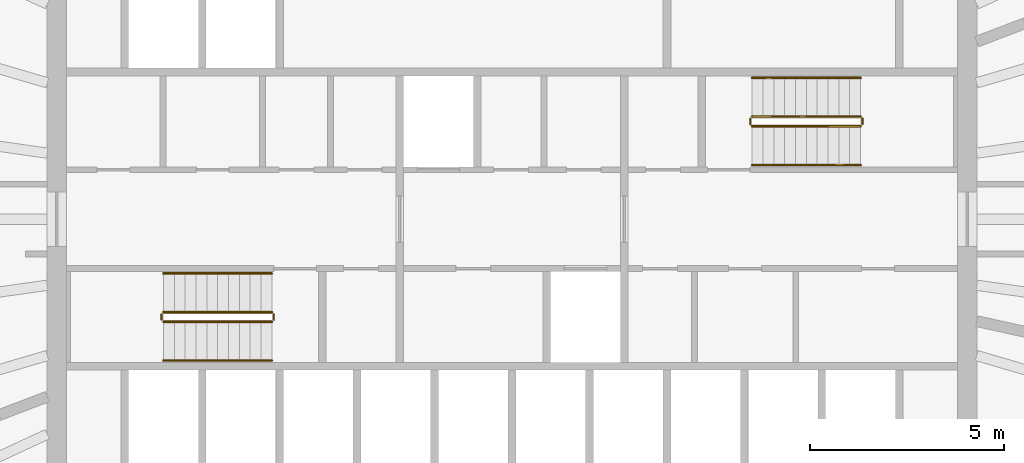
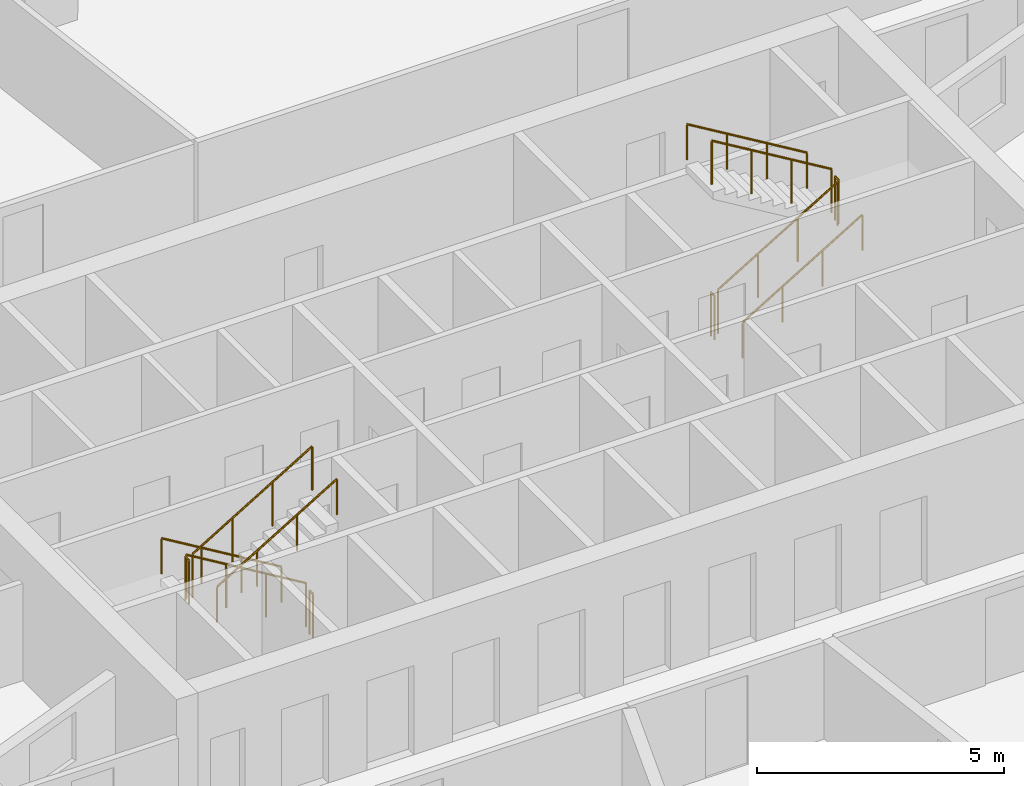
# One storey, part 12 of 12: 12 railings.
"""IFC4 building model written with IfcOpenShell, lengths in metres."""

from ifc_helpers import new_model, si_unit, direction, frame, origin, origin_2d, place, context, subcontext, project, spatial, circle, extrude, material, type_object, element, save


model = new_model("IFC4")

# Units and contexts
model_context = context("Model", 3, precision=1e-05, world=origin(), true_north=direction((0.0, 1.0)))
body_context = subcontext(model_context, "Body", "Model", "MODEL_VIEW")
ifc_project = project(units=[si_unit("LENGTHUNIT", "METRE"), si_unit("AREAUNIT", "SQUARE_METRE"), si_unit("VOLUMEUNIT", "CUBIC_METRE"), si_unit("PLANEANGLEUNIT", "RADIAN"), si_unit("MASSUNIT", "GRAM", prefix="KILO")], contexts=[model_context])

# Site, building, storey
site_placement = place(None, origin())
site = spatial("IfcSite", under=ifc_project, at=site_placement, CompositionType="ELEMENT")
building_placement = place(site_placement, origin())
building = spatial("IfcBuilding", under=site, at=building_placement, Name="Siaravel Broadcast Tower", CompositionType="ELEMENT")
storey_placement = place(building_placement, frame((0.0, 0.0, 134.10009765625)))
storey = spatial("IfcBuildingStorey", under=building, at=storey_placement, Name="L32", CompositionType="ELEMENT", Elevation=134.10009765625)

# Railings
ifc_material = material(Name="Stainless steel 316L", Category="steel")
railing_type_1 = type_object("IfcRailingType", Name="Stair guard 1100", PredefinedType="GUARDRAIL", material=ifc_material)
railing_1_placement = place(storey_placement, frame((-6.199951171875, -2.39990234375, 0.16796875)))
element("IfcRailing", 1, at=railing_1_placement, inside=storey, type_object=railing_type_1, Name="L32 ST-1 stair guard 1", PredefinedType="GUARDRAIL", context=body_context, shape_type="SweptSolid", body=[
    extrude(circle(Radius=0.02392578125, at=origin_2d()), frame((0.0, 0.0, 1.076171875), z_axis=(-0.857242211, 0.0, 0.514913383), x_axis=(0.0, -1.0, 0.0)), (0.0, 0.0, 1.0), 3.266357421875),
    extrude(circle(Radius=0.02099609375, at=origin_2d()), origin(), (0.0, 0.0, 1.0), 1.052001953125),
    extrude(circle(Radius=0.02099609375, at=origin_2d()), frame((-0.933349609375, 0.0, 0.560546875)), (0.0, 0.0, 1.0), 1.052001953125),
    extrude(circle(Radius=0.02099609375, at=origin_2d()), frame((-1.86669921875, 0.0, 1.121337890625)), (0.0, 0.0, 1.0), 1.052001953125),
    extrude(circle(Radius=0.02099609375, at=origin_2d()), frame((-2.800048828125, 0.0, 1.681884765625)), (0.0, 0.0, 1.0), 1.052001953125),
])
railing_2_placement = place(storey_placement, frame((-9.050048828125, -2.449951171875, 1.849853515625)))
element("IfcRailing", 2, at=railing_2_placement, inside=storey, type_object=railing_type_1, Name="L32 ST-1 stair guard 2", PredefinedType="GUARDRAIL", context=body_context, shape_type="SweptSolid", body=[
    extrude(circle(Radius=0.02392578125, at=origin_2d()), frame((0.0, 0.0, 1.076171875), z_axis=(0.0, -1.0, 0.0), x_axis=(1.0, 0.0, 0.0)), (0.0, 0.0, 1.0), 0.150146484375),
    extrude(circle(Radius=0.02099609375, at=origin_2d()), origin(), (0.0, 0.0, 1.0), 1.052001953125),
    extrude(circle(Radius=0.02099609375, at=origin_2d()), frame((0.0, -0.150146484375, 0.0)), (0.0, 0.0, 1.0), 1.052001953125),
])
railing_3_placement = place(storey_placement, frame((-9.0, -2.64990234375, 2.01806640625)))
element("IfcRailing", 3, at=railing_3_placement, inside=storey, type_object=railing_type_1, Name="L32 ST-1 stair guard 3", PredefinedType="GUARDRAIL", context=body_context, shape_type="SweptSolid", body=[
    extrude(circle(Radius=0.02392578125, at=origin_2d()), frame((0.0, 0.0, 1.076171875), z_axis=(0.857242211, 0.0, 0.514913383), x_axis=(0.0, 1.0, 0.0)), (0.0, 0.0, 1.0), 3.266357421875),
    extrude(circle(Radius=0.02099609375, at=origin_2d()), origin(), (0.0, 0.0, 1.0), 1.052001953125),
    extrude(circle(Radius=0.02099609375, at=origin_2d()), frame((0.933349609375, 0.0, 0.560546875)), (0.0, 0.0, 1.0), 1.052001953125),
    extrude(circle(Radius=0.02099609375, at=origin_2d()), frame((1.86669921875, 0.0, 1.121337890625)), (0.0, 0.0, 1.0), 1.052001953125),
    extrude(circle(Radius=0.02099609375, at=origin_2d()), frame((2.800048828125, 0.0, 1.681884765625)), (0.0, 0.0, 1.0), 1.052001953125),
])
railing_4_placement = place(storey_placement, frame((-6.14990234375, -2.449951171875, 0.0)))
element("IfcRailing", 4, at=railing_4_placement, inside=storey, type_object=railing_type_1, Name="L32 ST-1 stair guard 4", PredefinedType="GUARDRAIL", context=body_context, shape_type="SweptSolid", body=[
    extrude(circle(Radius=0.02392578125, at=origin_2d()), frame((0.0, 0.0, 1.076171875), z_axis=(0.0, -1.0, 0.0), x_axis=(1.0, 0.0, 0.0)), (0.0, 0.0, 1.0), 0.150146484375),
    extrude(circle(Radius=0.02099609375, at=origin_2d()), origin(), (0.0, 0.0, 1.0), 1.052001953125),
    extrude(circle(Radius=0.02099609375, at=origin_2d()), frame((0.0, -0.150146484375, 0.0)), (0.0, 0.0, 1.0), 1.052001953125),
])
railing_5_placement = place(storey_placement, frame((6.199951171875, 2.39990234375, 0.16796875)))
element("IfcRailing", 5, at=railing_5_placement, inside=storey, type_object=railing_type_1, Name="L32 ST-2 stair guard 1", PredefinedType="GUARDRAIL", context=body_context, shape_type="SweptSolid", body=[
    extrude(circle(Radius=0.02392578125, at=origin_2d()), frame((0.0, 0.0, 1.076171875), z_axis=(0.857242211, 0.0, 0.514913383), x_axis=(0.0, 1.0, 0.0)), (0.0, 0.0, 1.0), 3.266357421875),
    extrude(circle(Radius=0.02099609375, at=origin_2d()), origin(), (0.0, 0.0, 1.0), 1.052001953125),
    extrude(circle(Radius=0.02099609375, at=origin_2d()), frame((0.933349609375, 0.0, 0.560546875)), (0.0, 0.0, 1.0), 1.052001953125),
    extrude(circle(Radius=0.02099609375, at=origin_2d()), frame((1.86669921875, 0.0, 1.121337890625)), (0.0, 0.0, 1.0), 1.052001953125),
    extrude(circle(Radius=0.02099609375, at=origin_2d()), frame((2.800048828125, 0.0, 1.681884765625)), (0.0, 0.0, 1.0), 1.052001953125),
])
railing_6_placement = place(storey_placement, frame((9.050048828125, 2.449951171875, 1.849853515625)))
element("IfcRailing", 6, at=railing_6_placement, inside=storey, type_object=railing_type_1, Name="L32 ST-2 stair guard 2", PredefinedType="GUARDRAIL", context=body_context, shape_type="SweptSolid", body=[
    extrude(circle(Radius=0.02392578125, at=origin_2d()), frame((0.0, 0.0, 1.076171875), z_axis=(0.0, 1.0, 0.0), x_axis=(-1.0, 0.0, 0.0)), (0.0, 0.0, 1.0), 0.150146484375),
    extrude(circle(Radius=0.02099609375, at=origin_2d()), origin(), (0.0, 0.0, 1.0), 1.052001953125),
    extrude(circle(Radius=0.02099609375, at=origin_2d()), frame((0.0, 0.150146484375, 0.0)), (0.0, 0.0, 1.0), 1.052001953125),
])
railing_7_placement = place(storey_placement, frame((9.0, 2.64990234375, 2.01806640625)))
element("IfcRailing", 7, at=railing_7_placement, inside=storey, type_object=railing_type_1, Name="L32 ST-2 stair guard 3", PredefinedType="GUARDRAIL", context=body_context, shape_type="SweptSolid", body=[
    extrude(circle(Radius=0.02392578125, at=origin_2d()), frame((0.0, 0.0, 1.076171875), z_axis=(-0.857242211, 0.0, 0.514913383), x_axis=(0.0, -1.0, 0.0)), (0.0, 0.0, 1.0), 3.266357421875),
    extrude(circle(Radius=0.02099609375, at=origin_2d()), origin(), (0.0, 0.0, 1.0), 1.052001953125),
    extrude(circle(Radius=0.02099609375, at=origin_2d()), frame((-0.933349609375, 0.0, 0.560546875)), (0.0, 0.0, 1.0), 1.052001953125),
    extrude(circle(Radius=0.02099609375, at=origin_2d()), frame((-1.86669921875, 0.0, 1.121337890625)), (0.0, 0.0, 1.0), 1.052001953125),
    extrude(circle(Radius=0.02099609375, at=origin_2d()), frame((-2.800048828125, 0.0, 1.681884765625)), (0.0, 0.0, 1.0), 1.052001953125),
])
railing_8_placement = place(storey_placement, frame((6.14990234375, 2.449951171875, 0.0)))
element("IfcRailing", 8, at=railing_8_placement, inside=storey, type_object=railing_type_1, Name="L32 ST-2 stair guard 4", PredefinedType="GUARDRAIL", context=body_context, shape_type="SweptSolid", body=[
    extrude(circle(Radius=0.02392578125, at=origin_2d()), frame((0.0, 0.0, 1.076171875), z_axis=(0.0, 1.0, 0.0), x_axis=(-1.0, 0.0, 0.0)), (0.0, 0.0, 1.0), 0.150146484375),
    extrude(circle(Radius=0.02099609375, at=origin_2d()), origin(), (0.0, 0.0, 1.0), 1.052001953125),
    extrude(circle(Radius=0.02099609375, at=origin_2d()), frame((0.0, 0.150146484375, 0.0)), (0.0, 0.0, 1.0), 1.052001953125),
])
railing_type_2 = type_object("IfcRailingType", Name="Stair handrail 900", PredefinedType="HANDRAIL", material=ifc_material)
railing_9_placement = place(storey_placement, frame((-6.199951171875, -1.39990234375, 0.16796875)))
element("IfcRailing", 9, at=railing_9_placement, inside=storey, type_object=railing_type_2, Name="L32 ST-1 stair handrail 1", PredefinedType="HANDRAIL", context=body_context, shape_type="SweptSolid", body=[
    extrude(circle(Radius=0.02392578125, at=origin_2d()), frame((0.0, 0.0, 0.8759765625), z_axis=(-0.857242211, 0.0, 0.514913383), x_axis=(0.0, -1.0, 0.0)), (0.0, 0.0, 1.0), 3.266357421875),
    extrude(circle(Radius=0.02099609375, at=origin_2d()), origin(), (0.0, 0.0, 1.0), 0.851806640625),
    extrude(circle(Radius=0.02099609375, at=origin_2d()), frame((-0.933349609375, 0.0, 0.560546875)), (0.0, 0.0, 1.0), 0.851806640625),
    extrude(circle(Radius=0.02099609375, at=origin_2d()), frame((-1.86669921875, 0.0, 1.121337890625)), (0.0, 0.0, 1.0), 0.851806640625),
    extrude(circle(Radius=0.02099609375, at=origin_2d()), frame((-2.800048828125, 0.0, 1.681884765625)), (0.0, 0.0, 1.0), 0.851806640625),
])
for number, where, name in (
    (10, (-9.0, -3.64990234375, 2.01806640625), "L32 ST-1 stair handrail 2"),
    (11, (6.199951171875, 1.39990234375, 0.16796875), "L32 ST-2 stair handrail 1"),
):
    element("IfcRailing", number, at=place(storey_placement, frame(where)), inside=storey, type_object=railing_type_2, Name=name, PredefinedType="HANDRAIL", context=body_context, shape_type="SweptSolid", body=[
        extrude(circle(Radius=0.02392578125, at=origin_2d()), frame((0.0, 0.0, 0.8759765625), z_axis=(0.857242211, 0.0, 0.514913383), x_axis=(0.0, 1.0, 0.0)), (0.0, 0.0, 1.0), 3.266357421875),
        extrude(circle(Radius=0.02099609375, at=origin_2d()), origin(), (0.0, 0.0, 1.0), 0.851806640625),
        extrude(circle(Radius=0.02099609375, at=origin_2d()), frame((0.933349609375, 0.0, 0.560546875)), (0.0, 0.0, 1.0), 0.851806640625),
        extrude(circle(Radius=0.02099609375, at=origin_2d()), frame((1.86669921875, 0.0, 1.121337890625)), (0.0, 0.0, 1.0), 0.851806640625),
        extrude(circle(Radius=0.02099609375, at=origin_2d()), frame((2.800048828125, 0.0, 1.681884765625)), (0.0, 0.0, 1.0), 0.851806640625),
    ])
railing_10_placement = place(storey_placement, frame((9.0, 3.64990234375, 2.01806640625)))
element("IfcRailing", 12, at=railing_10_placement, inside=storey, type_object=railing_type_2, Name="L32 ST-2 stair handrail 2", PredefinedType="HANDRAIL", context=body_context, shape_type="SweptSolid", body=[
    extrude(circle(Radius=0.02392578125, at=origin_2d()), frame((0.0, 0.0, 0.8759765625), z_axis=(-0.857242211, 0.0, 0.514913383), x_axis=(0.0, -1.0, 0.0)), (0.0, 0.0, 1.0), 3.266357421875),
    extrude(circle(Radius=0.02099609375, at=origin_2d()), origin(), (0.0, 0.0, 1.0), 0.851806640625),
    extrude(circle(Radius=0.02099609375, at=origin_2d()), frame((-0.933349609375, 0.0, 0.560546875)), (0.0, 0.0, 1.0), 0.851806640625),
    extrude(circle(Radius=0.02099609375, at=origin_2d()), frame((-1.86669921875, 0.0, 1.121337890625)), (0.0, 0.0, 1.0), 0.851806640625),
    extrude(circle(Radius=0.02099609375, at=origin_2d()), frame((-2.800048828125, 0.0, 1.681884765625)), (0.0, 0.0, 1.0), 0.851806640625),
])

save(model, "model.ifc")
